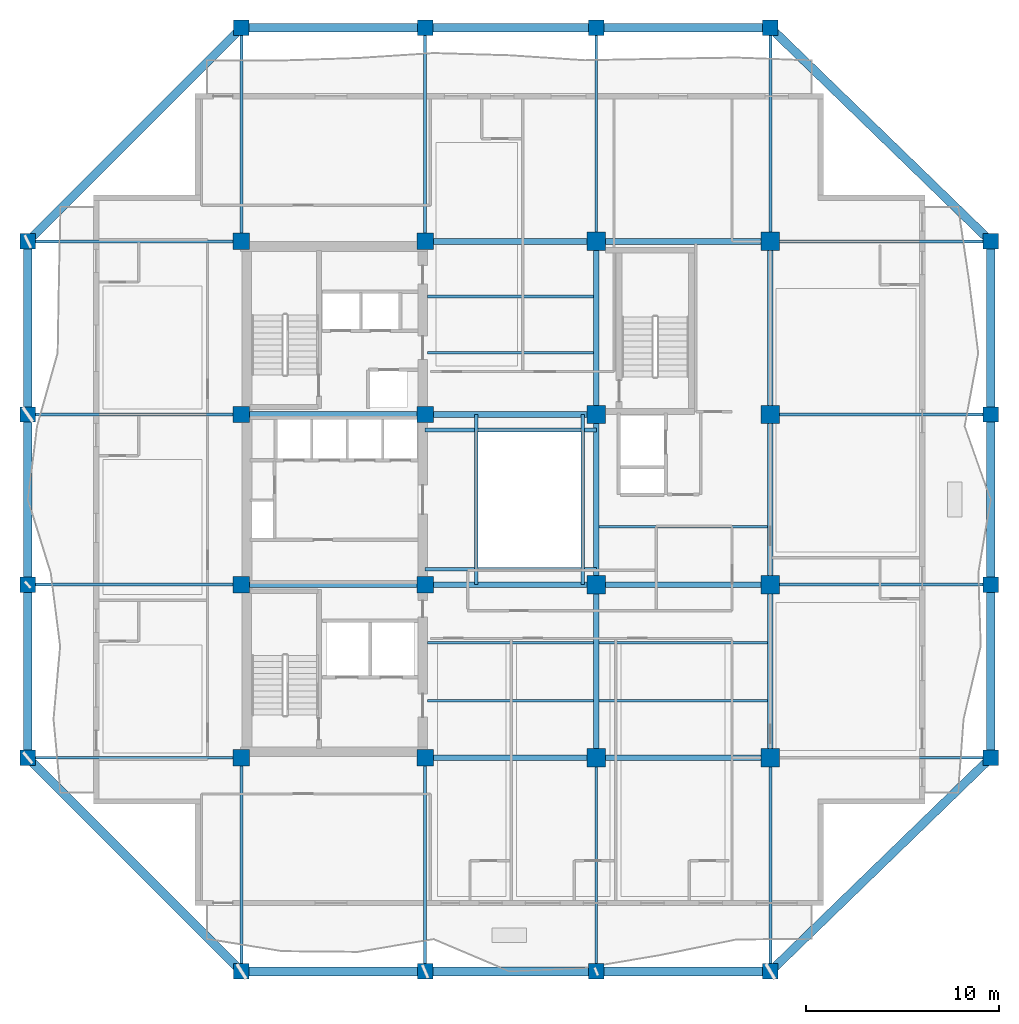
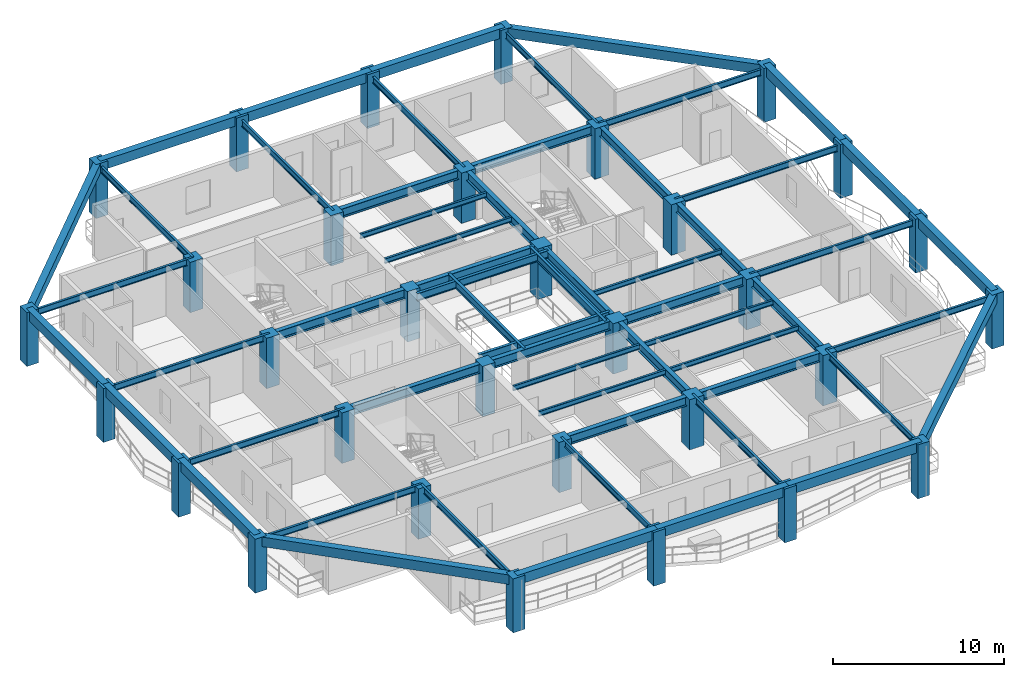
# One storey, part 1 of 12: 58 beams, 32 columns.
"""IFC4 building model written with IfcOpenShell, lengths in metres."""

from ifc_helpers import new_model, si_unit, direction, frame, origin, origin_2d, place, context, subcontext, project, spatial, rectangle, i_section, extrude, material, material_profile, profile_set, type_object, element, save


model = new_model("IFC4")

# Units and contexts
model_context = context("Model", 3, precision=1e-05, world=origin(), true_north=direction((0.0, 1.0)))
body_context = subcontext(model_context, "Body", "Model", "MODEL_VIEW")
ifc_project = project(units=[si_unit("LENGTHUNIT", "METRE"), si_unit("AREAUNIT", "SQUARE_METRE"), si_unit("VOLUMEUNIT", "CUBIC_METRE"), si_unit("PLANEANGLEUNIT", "RADIAN"), si_unit("MASSUNIT", "GRAM", prefix="KILO")], contexts=[model_context])

# Site, building, storey
site_placement = place(None, origin())
site = spatial("IfcSite", under=ifc_project, at=site_placement, CompositionType="ELEMENT")
building_placement = place(site_placement, origin())
building = spatial("IfcBuilding", under=site, at=building_placement, Name="Kundavana Baori Tower", CompositionType="ELEMENT")
storey_placement = place(building_placement, frame((0.0, 0.0, 173.300048828125)))
storey = spatial("IfcBuildingStorey", under=building, at=storey_placement, Name="L42", CompositionType="ELEMENT", Elevation=173.300048828125)

# Columns
ifc_material_1 = material(Name="Concrete C50/60", Category="concrete")
ifc_material_profile_1 = material_profile(ifc_material_1, rectangle(XDim=0.800048828125, YDim=0.800048828125, at=origin_2d()), Name="RC PF 800x800")
ifc_profile_set_1 = profile_set([ifc_material_profile_1], Name="Concrete C50/60")
column_type_1 = type_object("IfcColumnType", Name="COL-PF-800", PredefinedType="COLUMN", material=ifc_profile_set_1)
for number, where, z_axis, x_axis, name in (
    (1, (15.449951171875, 4.199951171875, 0.0), (0.0, 0.0, 1.0), (1.0, 0.0, 0.0), "L42 Stone-Clad Perimeter Frame Column PF-S1"),
    (2, (15.449951171875, 53.0, 0.0), (0.0, 0.0, 1.0), (1.0, 0.0, 0.0), "L42 Stone-Clad Perimeter Frame Column PF-N1"),
    (3, (24.949951171875, 4.199951171875, 0.0), (0.0, 0.0, 1.0), (1.0, 0.0, 0.0), "L42 Stone-Clad Perimeter Frame Column PF-S2"),
    (4, (24.949951171875, 53.0, 0.0), (0.0, 0.0, 1.0), (1.0, 0.0, 0.0), "L42 Stone-Clad Perimeter Frame Column PF-N2"),
    (5, (33.800048828125, 4.199951171875, 0.0), (0.0, 0.0, 1.0), (1.0, 0.0, 0.0), "L42 Stone-Clad Perimeter Frame Column PF-S3"),
    (6, (33.800048828125, 53.0, 0.0), (0.0, 0.0, 1.0), (1.0, 0.0, 0.0), "L42 Stone-Clad Perimeter Frame Column PF-N3"),
    (7, (42.800048828125, 4.199951171875, 0.0), (0.0, 0.0, 1.0), (1.0, 0.0, 0.0), "L42 Stone-Clad Perimeter Frame Column PF-S4"),
    (8, (42.800048828125, 53.0, 0.0), (0.0, 0.0, 1.0), (1.0, 0.0, 0.0), "L42 Stone-Clad Perimeter Frame Column PF-N4"),
    (9, (4.39990234375, 15.25, 0.0), (0.0, 0.0, 1.0), (1.0, 0.0, 0.0), "L42 Stone-Clad Perimeter Frame Column PF-W1"),
    (10, (54.199951171875, 15.25, 0.0), (0.0, 0.0, 1.0), (1.0, 0.0, 0.0), "L42 Stone-Clad Perimeter Frame Column PF-E1"),
    (11, (4.39990234375, 24.199951171875, 0.0), (0.0, 0.0, 1.0), (1.0, 0.0, 0.0), "L42 Stone-Clad Perimeter Frame Column PF-W2"),
    (12, (54.199951171875, 24.199951171875, 0.0), (0.0, 0.0, 1.0), (1.0, 0.0, 0.0), "L42 Stone-Clad Perimeter Frame Column PF-E2"),
    (13, (4.39990234375, 33.0, 0.0), (0.0, 0.0, 1.0), (1.0, 0.0, 0.0), "L42 Stone-Clad Perimeter Frame Column PF-W3"),
    (14, (54.199951171875, 33.0, 0.0), (0.0, 0.0, 1.0), (1.0, 0.0, 0.0), "L42 Stone-Clad Perimeter Frame Column PF-E3"),
    (15, (4.39990234375, 41.949951171875, 0.0), (0.0, 0.0, 1.0), (1.0, 0.0, 0.0), "L42 Stone-Clad Perimeter Frame Column PF-W4"),
    (16, (54.199951171875, 41.949951171875, 0.0), (0.0, 0.0, 1.0), (1.0, 0.0, 0.0), "L42 Stone-Clad Perimeter Frame Column PF-E4"),
):
    element("IfcColumn", number, at=place(storey_placement, frame(where, z_axis=z_axis, x_axis=x_axis)), inside=storey, type_object=column_type_1, Name=name, PredefinedType="COLUMN", context=body_context, shape_type="SweptSolid", body=[
        extrude(rectangle(XDim=0.800048828125, YDim=0.800048828125, at=origin_2d()), origin(), (0.0, 0.0, 1.0), 3.849853515625),
    ])
ifc_material_2 = material(Name="Concrete C50/60", Category="concrete")
ifc_material_profile_2 = material_profile(ifc_material_2, rectangle(XDim=0.85009765625, YDim=0.85009765625, at=origin_2d()), Name="RC 850x850")
ifc_profile_set_2 = profile_set([ifc_material_profile_2], Name="Concrete C50/60")
column_type_2 = type_object("IfcColumnType", Name="COL-RC-850", PredefinedType="COLUMN", material=ifc_profile_set_2)
for number, where, z_axis, x_axis, name in (
    (17, (15.449951171875, 15.25, 0.0), (0.0, 0.0, 1.0), (1.0, 0.0, 0.0), "L42 Interior Column IC-3C"),
    (18, (15.449951171875, 24.199951171875, 0.0), (0.0, 0.0, 1.0), (1.0, 0.0, 0.0), "L42 Interior Column IC-3D"),
    (19, (15.449951171875, 33.0, 0.0), (0.0, 0.0, 1.0), (1.0, 0.0, 0.0), "L42 Interior Column IC-3E"),
    (20, (15.449951171875, 41.949951171875, 0.0), (0.0, 0.0, 1.0), (1.0, 0.0, 0.0), "L42 Interior Column IC-3F"),
    (21, (24.949951171875, 15.25, 0.0), (0.0, 0.0, 1.0), (1.0, 0.0, 0.0), "L42 Interior Column IC-4C"),
    (22, (24.949951171875, 24.199951171875, 0.0), (0.0, 0.0, 1.0), (1.0, 0.0, 0.0), "L42 Interior Column IC-4D"),
    (23, (24.949951171875, 33.0, 0.0), (0.0, 0.0, 1.0), (1.0, 0.0, 0.0), "L42 Interior Column IC-4E"),
    (24, (24.949951171875, 41.949951171875, 0.0), (0.0, 0.0, 1.0), (1.0, 0.0, 0.0), "L42 Interior Column IC-4F"),
):
    element("IfcColumn", number, at=place(storey_placement, frame(where, z_axis=z_axis, x_axis=x_axis)), inside=storey, type_object=column_type_2, Name=name, PredefinedType="COLUMN", context=body_context, shape_type="SweptSolid", body=[
        extrude(rectangle(XDim=0.85009765625, YDim=0.85009765625, at=origin_2d()), origin(), (0.0, 0.0, 1.0), 3.599853515625),
    ])
ifc_material_3 = material(Name="Concrete C50/60", Category="concrete")
ifc_material_profile_3 = material_profile(ifc_material_3, rectangle(XDim=0.949951171875, YDim=0.949951171875, at=origin_2d()), Name="RC 950x950")
ifc_profile_set_3 = profile_set([ifc_material_profile_3], Name="Concrete C50/60")
column_type_3 = type_object("IfcColumnType", Name="COL-RC-950", PredefinedType="COLUMN", material=ifc_profile_set_3)
for number, where, z_axis, x_axis, name in (
    (25, (33.800048828125, 15.25, 0.0), (0.0, 0.0, 1.0), (1.0, 0.0, 0.0), "L42 Interior Column IC-5C"),
    (26, (33.800048828125, 24.199951171875, 0.0), (0.0, 0.0, 1.0), (1.0, 0.0, 0.0), "L42 Interior Column IC-5D"),
    (27, (33.800048828125, 33.0, 0.0), (0.0, 0.0, 1.0), (1.0, 0.0, 0.0), "L42 Interior Column IC-5E"),
    (28, (33.800048828125, 41.949951171875, 0.0), (0.0, 0.0, 1.0), (1.0, 0.0, 0.0), "L42 Interior Column IC-5F"),
    (29, (42.800048828125, 15.25, 0.0), (0.0, 0.0, 1.0), (1.0, 0.0, 0.0), "L42 Interior Column IC-6C"),
    (30, (42.800048828125, 24.199951171875, 0.0), (0.0, 0.0, 1.0), (1.0, 0.0, 0.0), "L42 Interior Column IC-6D"),
    (31, (42.800048828125, 33.0, 0.0), (0.0, 0.0, 1.0), (1.0, 0.0, 0.0), "L42 Interior Column IC-6E"),
    (32, (42.800048828125, 41.949951171875, 0.0), (0.0, 0.0, 1.0), (1.0, 0.0, 0.0), "L42 Interior Column IC-6F"),
):
    element("IfcColumn", number, at=place(storey_placement, frame(where, z_axis=z_axis, x_axis=x_axis)), inside=storey, type_object=column_type_3, Name=name, PredefinedType="COLUMN", context=body_context, shape_type="SweptSolid", body=[
        extrude(rectangle(XDim=0.949951171875, YDim=0.949951171875, at=origin_2d()), origin(), (0.0, 0.0, 1.0), 3.599853515625),
    ])

# Beams
ifc_material_4 = material(Name="Structural Steel S355JR", Category="steel")
ifc_material_profile_4 = material_profile(ifc_material_4, i_section(OverallWidth=0.139892578125, OverallDepth=0.35009765625, WebThickness=0.008056640625, FlangeThickness=0.01416015625, FilletRadius=0.013916015625, at=origin_2d()), Name="ISMB 350")
ifc_profile_set_4 = profile_set([ifc_material_profile_4], Name="Structural Steel S355JR")
beam_type_1 = type_object("IfcBeamType", Name="BM-JST-350", PredefinedType="JOIST", material=ifc_profile_set_4)
for number, where, z_axis, x_axis, name in (
    (33, (25.080078125, 18.199951171875, 3.425048828125), (1.0, 0.0, 0.0), (0.0, 1.0, 0.0), "L42 Central Bay Composite Floor Joist C1"),
    (34, (25.080078125, 21.199951171875, 3.425048828125), (1.0, 0.0, 0.0), (0.0, 1.0, 0.0), "L42 Central Bay Composite Floor Joist C2"),
    (35, (25.080078125, 36.199951171875, 3.425048828125), (1.0, 0.0, 0.0), (0.0, 1.0, 0.0), "L42 Central Bay Composite Floor Joist C3"),
    (36, (25.080078125, 39.10009765625, 3.425048828125), (1.0, 0.0, 0.0), (0.0, 1.0, 0.0), "L42 Central Bay Composite Floor Joist C4"),
):
    element("IfcBeam", number, at=place(storey_placement, frame(where, z_axis=z_axis, x_axis=x_axis)), inside=storey, type_object=beam_type_1, Name=name, PredefinedType="JOIST", context=body_context, shape_type="SweptSolid", body=[
        extrude(i_section(OverallWidth=0.139892578125, OverallDepth=0.35009765625, WebThickness=0.008056640625, FlangeThickness=0.01416015625, FilletRadius=0.013916015625, at=origin_2d()), origin(), (0.0, 0.0, 1.0), 8.56982421875),
    ])
for number, where, z_axis, x_axis, name in (
    (37, (33.949951171875, 18.199951171875, 3.425048828125), (1.0, 0.0, 0.0), (0.0, 1.0, 0.0), "L42 East Bay Composite Floor Joist E1"),
    (38, (33.949951171875, 21.199951171875, 3.425048828125), (1.0, 0.0, 0.0), (0.0, 1.0, 0.0), "L42 East Bay Composite Floor Joist E2"),
    (39, (33.949951171875, 27.199951171875, 3.425048828125), (1.0, 0.0, 0.0), (0.0, 1.0, 0.0), "L42 East Bay Composite Floor Joist E3"),
):
    element("IfcBeam", number, at=place(storey_placement, frame(where, z_axis=z_axis, x_axis=x_axis)), inside=storey, type_object=beam_type_1, Name=name, PredefinedType="JOIST", context=body_context, shape_type="SweptSolid", body=[
        extrude(i_section(OverallWidth=0.139892578125, OverallDepth=0.35009765625, WebThickness=0.008056640625, FlangeThickness=0.01416015625, FilletRadius=0.013916015625, at=origin_2d()), origin(), (0.0, 0.0, 1.0), 8.699951171875),
    ])
ifc_material_5 = material(Name="Concrete C50/60", Category="concrete")
ifc_material_profile_5 = material_profile(ifc_material_5, rectangle(XDim=0.449951171875, YDim=0.679931640625, at=origin_2d()), Name="RC BM 450x680")
ifc_profile_set_5 = profile_set([ifc_material_profile_5], Name="Concrete C50/60")
beam_type_2 = type_object("IfcBeamType", Name="BM-PF-680", PredefinedType="SPANDREL", material=ifc_profile_set_5)
beam_1_placement = place(storey_placement, frame((15.449951171875, 4.199951171875, 3.510009765625), z_axis=(1.0, 0.0, 0.0), x_axis=(0.0, 1.0, 0.0)))
element("IfcBeam", 40, at=beam_1_placement, inside=storey, type_object=beam_type_2, Name="L42 Perimeter Frame Ring Beam S1", PredefinedType="SPANDREL", context=body_context, shape_type="SweptSolid", body=[
    extrude(rectangle(XDim=0.449951171875, YDim=0.679931640625, at=origin_2d()), origin(), (0.0, 0.0, 1.0), 9.5),
])
beam_2_placement = place(storey_placement, frame((24.949951171875, 4.199951171875, 3.510009765625), z_axis=(1.0, 0.0, 0.0), x_axis=(0.0, 1.0, 0.0)))
element("IfcBeam", 41, at=beam_2_placement, inside=storey, type_object=beam_type_2, Name="L42 Perimeter Frame Ring Beam S2", PredefinedType="SPANDREL", context=body_context, shape_type="SweptSolid", body=[
    extrude(rectangle(XDim=0.449951171875, YDim=0.679931640625, at=origin_2d()), origin(), (0.0, 0.0, 1.0), 8.85009765625),
])
beam_3_placement = place(storey_placement, frame((33.800048828125, 4.199951171875, 3.510009765625), z_axis=(1.0, 0.0, 0.0), x_axis=(0.0, 1.0, 0.0)))
element("IfcBeam", 42, at=beam_3_placement, inside=storey, type_object=beam_type_2, Name="L42 Perimeter Frame Ring Beam S3", PredefinedType="SPANDREL", context=body_context, shape_type="SweptSolid", body=[
    extrude(rectangle(XDim=0.449951171875, YDim=0.679931640625, at=origin_2d()), origin(), (0.0, 0.0, 1.0), 9.0),
])
beam_4_placement = place(storey_placement, frame((15.449951171875, 53.0, 3.510009765625), z_axis=(1.0, 0.0, 0.0), x_axis=(0.0, 1.0, 0.0)))
element("IfcBeam", 43, at=beam_4_placement, inside=storey, type_object=beam_type_2, Name="L42 Perimeter Frame Ring Beam N1", PredefinedType="SPANDREL", context=body_context, shape_type="SweptSolid", body=[
    extrude(rectangle(XDim=0.449951171875, YDim=0.679931640625, at=origin_2d()), origin(), (0.0, 0.0, 1.0), 9.5),
])
beam_5_placement = place(storey_placement, frame((24.949951171875, 53.0, 3.510009765625), z_axis=(1.0, 0.0, 0.0), x_axis=(0.0, 1.0, 0.0)))
element("IfcBeam", 44, at=beam_5_placement, inside=storey, type_object=beam_type_2, Name="L42 Perimeter Frame Ring Beam N2", PredefinedType="SPANDREL", context=body_context, shape_type="SweptSolid", body=[
    extrude(rectangle(XDim=0.449951171875, YDim=0.679931640625, at=origin_2d()), origin(), (0.0, 0.0, 1.0), 8.85009765625),
])
beam_6_placement = place(storey_placement, frame((33.800048828125, 53.0, 3.510009765625), z_axis=(1.0, 0.0, 0.0), x_axis=(0.0, 1.0, 0.0)))
element("IfcBeam", 45, at=beam_6_placement, inside=storey, type_object=beam_type_2, Name="L42 Perimeter Frame Ring Beam N3", PredefinedType="SPANDREL", context=body_context, shape_type="SweptSolid", body=[
    extrude(rectangle(XDim=0.449951171875, YDim=0.679931640625, at=origin_2d()), origin(), (0.0, 0.0, 1.0), 9.0),
])
beam_7_placement = place(storey_placement, frame((4.39990234375, 15.25, 3.510009765625), z_axis=(0.0, 1.0, 0.0), x_axis=(-1.0, 0.0, 0.0)))
element("IfcBeam", 46, at=beam_7_placement, inside=storey, type_object=beam_type_2, Name="L42 Perimeter Frame Ring Beam W1", PredefinedType="SPANDREL", context=body_context, shape_type="SweptSolid", body=[
    extrude(rectangle(XDim=0.449951171875, YDim=0.679931640625, at=origin_2d()), origin(), (0.0, 0.0, 1.0), 8.949951171875),
])
beam_8_placement = place(storey_placement, frame((4.39990234375, 24.199951171875, 3.510009765625), z_axis=(0.0, 1.0, 0.0), x_axis=(-1.0, 0.0, 0.0)))
element("IfcBeam", 47, at=beam_8_placement, inside=storey, type_object=beam_type_2, Name="L42 Perimeter Frame Ring Beam W2", PredefinedType="SPANDREL", context=body_context, shape_type="SweptSolid", body=[
    extrude(rectangle(XDim=0.449951171875, YDim=0.679931640625, at=origin_2d()), origin(), (0.0, 0.0, 1.0), 8.800048828125),
])
for number, where, z_axis, x_axis, name in (
    (48, (4.39990234375, 33.0, 3.510009765625), (0.0, 1.0, 0.0), (-1.0, 0.0, 0.0), "L42 Perimeter Frame Ring Beam W3"),
    (49, (54.199951171875, 15.25, 3.510009765625), (0.0, 1.0, 0.0), (-1.0, 0.0, 0.0), "L42 Perimeter Frame Ring Beam E1"),
):
    element("IfcBeam", number, at=place(storey_placement, frame(where, z_axis=z_axis, x_axis=x_axis)), inside=storey, type_object=beam_type_2, Name=name, PredefinedType="SPANDREL", context=body_context, shape_type="SweptSolid", body=[
        extrude(rectangle(XDim=0.449951171875, YDim=0.679931640625, at=origin_2d()), origin(), (0.0, 0.0, 1.0), 8.949951171875),
    ])
beam_9_placement = place(storey_placement, frame((54.199951171875, 24.199951171875, 3.510009765625), z_axis=(0.0, 1.0, 0.0), x_axis=(-1.0, 0.0, 0.0)))
element("IfcBeam", 50, at=beam_9_placement, inside=storey, type_object=beam_type_2, Name="L42 Perimeter Frame Ring Beam E2", PredefinedType="SPANDREL", context=body_context, shape_type="SweptSolid", body=[
    extrude(rectangle(XDim=0.449951171875, YDim=0.679931640625, at=origin_2d()), origin(), (0.0, 0.0, 1.0), 8.800048828125),
])
beam_10_placement = place(storey_placement, frame((54.199951171875, 33.0, 3.510009765625), z_axis=(0.0, 1.0, 0.0), x_axis=(-1.0, 0.0, 0.0)))
element("IfcBeam", 51, at=beam_10_placement, inside=storey, type_object=beam_type_2, Name="L42 Perimeter Frame Ring Beam E3", PredefinedType="SPANDREL", context=body_context, shape_type="SweptSolid", body=[
    extrude(rectangle(XDim=0.449951171875, YDim=0.679931640625, at=origin_2d()), origin(), (0.0, 0.0, 1.0), 8.949951171875),
])
beam_11_placement = place(storey_placement, frame((15.449951171875, 4.199951171875, 3.510009765625), z_axis=(-0.707106781187, 0.707106781187, 0.0), x_axis=(-0.707106781187, -0.707106781187, 0.0)))
element("IfcBeam", 52, at=beam_11_placement, inside=storey, type_object=beam_type_2, Name="L42 Notched Corner Perimeter Beam SW", PredefinedType="SPANDREL", context=body_context, shape_type="SweptSolid", body=[
    extrude(rectangle(XDim=0.449951171875, YDim=0.679931640625, at=origin_2d()), origin(), (0.0, 0.0, 1.0), 15.627197265625),
])
beam_12_placement = place(storey_placement, frame((42.800048828125, 4.199951171875, 3.510009765625), z_axis=(0.718038944492, 0.696002926857, 0.0), x_axis=(-0.696002926857, 0.718038944492, 0.0)))
element("IfcBeam", 53, at=beam_12_placement, inside=storey, type_object=beam_type_2, Name="L42 Notched Corner Perimeter Beam SE", PredefinedType="SPANDREL", context=body_context, shape_type="SweptSolid", body=[
    extrude(rectangle(XDim=0.449951171875, YDim=0.679931640625, at=origin_2d()), origin(), (0.0, 0.0, 1.0), 15.87646484375),
])
beam_13_placement = place(storey_placement, frame((15.449951171875, 53.0, 3.510009765625), z_axis=(-0.707106781187, -0.707106781187, 0.0), x_axis=(0.707106781187, -0.707106781187, 0.0)))
element("IfcBeam", 54, at=beam_13_placement, inside=storey, type_object=beam_type_2, Name="L42 Notched Corner Perimeter Beam NW", PredefinedType="SPANDREL", context=body_context, shape_type="SweptSolid", body=[
    extrude(rectangle(XDim=0.449951171875, YDim=0.679931640625, at=origin_2d()), origin(), (0.0, 0.0, 1.0), 15.627197265625),
])
beam_14_placement = place(storey_placement, frame((42.800048828125, 53.0, 3.510009765625), z_axis=(0.718038944492, -0.696002926857, 0.0), x_axis=(0.696002926857, 0.718038944492, 0.0)))
element("IfcBeam", 55, at=beam_14_placement, inside=storey, type_object=beam_type_2, Name="L42 Notched Corner Perimeter Beam NE", PredefinedType="SPANDREL", context=body_context, shape_type="SweptSolid", body=[
    extrude(rectangle(XDim=0.449951171875, YDim=0.679931640625, at=origin_2d()), origin(), (0.0, 0.0, 1.0), 15.87646484375),
])
ifc_material_6 = material(Name="Structural Steel S355JR", Category="steel")
ifc_material_profile_6 = material_profile(ifc_material_6, i_section(OverallWidth=0.18994140625, OverallDepth=0.550048828125, WebThickness=0.01123046875, FlangeThickness=0.019287109375, FilletRadius=0.01806640625, at=origin_2d()), Name="ISMB 550")
ifc_profile_set_6 = profile_set([ifc_material_profile_6], Name="Structural Steel S355JR")
beam_type_3 = type_object("IfcBeamType", Name="BM-ST-550", PredefinedType="BEAM", material=ifc_profile_set_6)
for number, where, z_axis, x_axis, name in (
    (56, (27.60009765625, 24.199951171875, 3.324951171875), (0.0, 1.0, 0.0), (-1.0, 0.0, 0.0), "L42 Atrium West Edge Beam"),
    (57, (33.10009765625, 24.199951171875, 3.324951171875), (0.0, 1.0, 0.0), (-1.0, 0.0, 0.0), "L42 Atrium East Edge Beam"),
):
    element("IfcBeam", number, at=place(storey_placement, frame(where, z_axis=z_axis, x_axis=x_axis)), inside=storey, type_object=beam_type_3, Name=name, PredefinedType="BEAM", context=body_context, shape_type="SweptSolid", body=[
        extrude(i_section(OverallWidth=0.18994140625, OverallDepth=0.550048828125, WebThickness=0.01123046875, FlangeThickness=0.019287109375, FilletRadius=0.01806640625, at=origin_2d()), origin(), (0.0, 0.0, 1.0), 8.800048828125),
    ])
for number, where, z_axis, x_axis, name in (
    (58, (24.949951171875, 25.0, 3.324951171875), (1.0, 0.0, 0.0), (0.0, 1.0, 0.0), "L42 Atrium South Edge Beam"),
    (59, (24.949951171875, 32.199951171875, 3.324951171875), (1.0, 0.0, 0.0), (0.0, 1.0, 0.0), "L42 Atrium North Edge Beam"),
):
    element("IfcBeam", number, at=place(storey_placement, frame(where, z_axis=z_axis, x_axis=x_axis)), inside=storey, type_object=beam_type_3, Name=name, PredefinedType="BEAM", context=body_context, shape_type="SweptSolid", body=[
        extrude(i_section(OverallWidth=0.18994140625, OverallDepth=0.550048828125, WebThickness=0.01123046875, FlangeThickness=0.019287109375, FilletRadius=0.01806640625, at=origin_2d()), origin(), (0.0, 0.0, 1.0), 8.85009765625),
    ])
ifc_material_7 = material(Name="Structural Steel S355JR", Category="steel")
ifc_material_profile_7 = material_profile(ifc_material_7, i_section(OverallWidth=0.300048828125, OverallDepth=0.64990234375, WebThickness=0.013427734375, FlangeThickness=0.02197265625, FilletRadius=0.02392578125, at=origin_2d()), Name="NPB 650x300x155")
ifc_profile_set_7 = profile_set([ifc_material_profile_7], Name="Structural Steel S355JR")
beam_type_4 = type_object("IfcBeamType", Name="BM-ST-650", PredefinedType="BEAM", material=ifc_profile_set_7)
beam_15_placement = place(storey_placement, frame((24.949951171875, 15.25, 3.27490234375), z_axis=(1.0, 0.0, 0.0), x_axis=(0.0, 1.0, 0.0)))
element("IfcBeam", 60, at=beam_15_placement, inside=storey, type_object=beam_type_4, Name="L42 Primary Grid Girder GX-1-2", PredefinedType="BEAM", context=body_context, shape_type="SweptSolid", body=[
    extrude(i_section(OverallWidth=0.300048828125, OverallDepth=0.64990234375, WebThickness=0.013427734375, FlangeThickness=0.02197265625, FilletRadius=0.02392578125, at=origin_2d()), origin(), (0.0, 0.0, 1.0), 8.85009765625),
])
beam_16_placement = place(storey_placement, frame((33.800048828125, 15.25, 3.27490234375), z_axis=(1.0, 0.0, 0.0), x_axis=(0.0, 1.0, 0.0)))
element("IfcBeam", 61, at=beam_16_placement, inside=storey, type_object=beam_type_4, Name="L42 Primary Grid Girder GX-1-3", PredefinedType="BEAM", context=body_context, shape_type="SweptSolid", body=[
    extrude(i_section(OverallWidth=0.300048828125, OverallDepth=0.64990234375, WebThickness=0.013427734375, FlangeThickness=0.02197265625, FilletRadius=0.02392578125, at=origin_2d()), origin(), (0.0, 0.0, 1.0), 9.0),
])
beam_17_placement = place(storey_placement, frame((15.449951171875, 24.199951171875, 3.27490234375), z_axis=(1.0, 0.0, 0.0), x_axis=(0.0, 1.0, 0.0)))
element("IfcBeam", 62, at=beam_17_placement, inside=storey, type_object=beam_type_4, Name="L42 Primary Grid Girder GX-2-1", PredefinedType="BEAM", context=body_context, shape_type="SweptSolid", body=[
    extrude(i_section(OverallWidth=0.300048828125, OverallDepth=0.64990234375, WebThickness=0.013427734375, FlangeThickness=0.02197265625, FilletRadius=0.02392578125, at=origin_2d()), origin(), (0.0, 0.0, 1.0), 9.5),
])
beam_18_placement = place(storey_placement, frame((24.949951171875, 24.199951171875, 3.27490234375), z_axis=(1.0, 0.0, 0.0), x_axis=(0.0, 1.0, 0.0)))
element("IfcBeam", 63, at=beam_18_placement, inside=storey, type_object=beam_type_4, Name="L42 Primary Grid Girder GX-2-2", PredefinedType="BEAM", context=body_context, shape_type="SweptSolid", body=[
    extrude(i_section(OverallWidth=0.300048828125, OverallDepth=0.64990234375, WebThickness=0.013427734375, FlangeThickness=0.02197265625, FilletRadius=0.02392578125, at=origin_2d()), origin(), (0.0, 0.0, 1.0), 8.85009765625),
])
beam_19_placement = place(storey_placement, frame((33.800048828125, 24.199951171875, 3.27490234375), z_axis=(1.0, 0.0, 0.0), x_axis=(0.0, 1.0, 0.0)))
element("IfcBeam", 64, at=beam_19_placement, inside=storey, type_object=beam_type_4, Name="L42 Primary Grid Girder GX-2-3", PredefinedType="BEAM", context=body_context, shape_type="SweptSolid", body=[
    extrude(i_section(OverallWidth=0.300048828125, OverallDepth=0.64990234375, WebThickness=0.013427734375, FlangeThickness=0.02197265625, FilletRadius=0.02392578125, at=origin_2d()), origin(), (0.0, 0.0, 1.0), 9.0),
])
beam_20_placement = place(storey_placement, frame((15.449951171875, 33.0, 3.27490234375), z_axis=(1.0, 0.0, 0.0), x_axis=(0.0, 1.0, 0.0)))
element("IfcBeam", 65, at=beam_20_placement, inside=storey, type_object=beam_type_4, Name="L42 Primary Grid Girder GX-3-1", PredefinedType="BEAM", context=body_context, shape_type="SweptSolid", body=[
    extrude(i_section(OverallWidth=0.300048828125, OverallDepth=0.64990234375, WebThickness=0.013427734375, FlangeThickness=0.02197265625, FilletRadius=0.02392578125, at=origin_2d()), origin(), (0.0, 0.0, 1.0), 9.5),
])
for number, where, z_axis, x_axis, name in (
    (66, (24.949951171875, 33.0, 3.27490234375), (1.0, 0.0, 0.0), (0.0, 1.0, 0.0), "L42 Primary Grid Girder GX-3-2"),
    (67, (24.949951171875, 41.949951171875, 3.27490234375), (1.0, 0.0, 0.0), (0.0, 1.0, 0.0), "L42 Primary Grid Girder GX-4-2"),
):
    element("IfcBeam", number, at=place(storey_placement, frame(where, z_axis=z_axis, x_axis=x_axis)), inside=storey, type_object=beam_type_4, Name=name, PredefinedType="BEAM", context=body_context, shape_type="SweptSolid", body=[
        extrude(i_section(OverallWidth=0.300048828125, OverallDepth=0.64990234375, WebThickness=0.013427734375, FlangeThickness=0.02197265625, FilletRadius=0.02392578125, at=origin_2d()), origin(), (0.0, 0.0, 1.0), 8.85009765625),
    ])
beam_21_placement = place(storey_placement, frame((33.800048828125, 41.949951171875, 3.27490234375), z_axis=(1.0, 0.0, 0.0), x_axis=(0.0, 1.0, 0.0)))
element("IfcBeam", 68, at=beam_21_placement, inside=storey, type_object=beam_type_4, Name="L42 Primary Grid Girder GX-4-3", PredefinedType="BEAM", context=body_context, shape_type="SweptSolid", body=[
    extrude(i_section(OverallWidth=0.300048828125, OverallDepth=0.64990234375, WebThickness=0.013427734375, FlangeThickness=0.02197265625, FilletRadius=0.02392578125, at=origin_2d()), origin(), (0.0, 0.0, 1.0), 9.0),
])
beam_22_placement = place(storey_placement, frame((33.800048828125, 15.25, 3.27490234375), z_axis=(0.0, 1.0, 0.0), x_axis=(-1.0, 0.0, 0.0)))
element("IfcBeam", 69, at=beam_22_placement, inside=storey, type_object=beam_type_4, Name="L42 Primary Grid Girder GY-3-1", PredefinedType="BEAM", context=body_context, shape_type="SweptSolid", body=[
    extrude(i_section(OverallWidth=0.300048828125, OverallDepth=0.64990234375, WebThickness=0.013427734375, FlangeThickness=0.02197265625, FilletRadius=0.02392578125, at=origin_2d()), origin(), (0.0, 0.0, 1.0), 8.949951171875),
])
beam_23_placement = place(storey_placement, frame((33.800048828125, 24.199951171875, 3.27490234375), z_axis=(0.0, 1.0, 0.0), x_axis=(-1.0, 0.0, 0.0)))
element("IfcBeam", 70, at=beam_23_placement, inside=storey, type_object=beam_type_4, Name="L42 Primary Grid Girder GY-3-2", PredefinedType="BEAM", context=body_context, shape_type="SweptSolid", body=[
    extrude(i_section(OverallWidth=0.300048828125, OverallDepth=0.64990234375, WebThickness=0.013427734375, FlangeThickness=0.02197265625, FilletRadius=0.02392578125, at=origin_2d()), origin(), (0.0, 0.0, 1.0), 8.800048828125),
])
for number, where, z_axis, x_axis, name in (
    (71, (33.800048828125, 33.0, 3.27490234375), (0.0, 1.0, 0.0), (-1.0, 0.0, 0.0), "L42 Primary Grid Girder GY-3-3"),
    (72, (42.800048828125, 15.25, 3.27490234375), (0.0, 1.0, 0.0), (-1.0, 0.0, 0.0), "L42 Primary Grid Girder GY-4-1"),
):
    element("IfcBeam", number, at=place(storey_placement, frame(where, z_axis=z_axis, x_axis=x_axis)), inside=storey, type_object=beam_type_4, Name=name, PredefinedType="BEAM", context=body_context, shape_type="SweptSolid", body=[
        extrude(i_section(OverallWidth=0.300048828125, OverallDepth=0.64990234375, WebThickness=0.013427734375, FlangeThickness=0.02197265625, FilletRadius=0.02392578125, at=origin_2d()), origin(), (0.0, 0.0, 1.0), 8.949951171875),
    ])
beam_24_placement = place(storey_placement, frame((42.800048828125, 24.199951171875, 3.27490234375), z_axis=(0.0, 1.0, 0.0), x_axis=(-1.0, 0.0, 0.0)))
element("IfcBeam", 73, at=beam_24_placement, inside=storey, type_object=beam_type_4, Name="L42 Primary Grid Girder GY-4-2", PredefinedType="BEAM", context=body_context, shape_type="SweptSolid", body=[
    extrude(i_section(OverallWidth=0.300048828125, OverallDepth=0.64990234375, WebThickness=0.013427734375, FlangeThickness=0.02197265625, FilletRadius=0.02392578125, at=origin_2d()), origin(), (0.0, 0.0, 1.0), 8.800048828125),
])
beam_25_placement = place(storey_placement, frame((42.800048828125, 33.0, 3.27490234375), z_axis=(0.0, 1.0, 0.0), x_axis=(-1.0, 0.0, 0.0)))
element("IfcBeam", 74, at=beam_25_placement, inside=storey, type_object=beam_type_4, Name="L42 Primary Grid Girder GY-4-3", PredefinedType="BEAM", context=body_context, shape_type="SweptSolid", body=[
    extrude(i_section(OverallWidth=0.300048828125, OverallDepth=0.64990234375, WebThickness=0.013427734375, FlangeThickness=0.02197265625, FilletRadius=0.02392578125, at=origin_2d()), origin(), (0.0, 0.0, 1.0), 8.949951171875),
])
ifc_material_8 = material(Name="Structural Steel S355JR", Category="steel")
ifc_material_profile_8 = material_profile(ifc_material_8, i_section(OverallWidth=0.14990234375, OverallDepth=0.449951171875, WebThickness=0.009521484375, FlangeThickness=0.017333984375, FilletRadius=0.014892578125, at=origin_2d()), Name="ISMB 450")
ifc_profile_set_8 = profile_set([ifc_material_profile_8], Name="Structural Steel S355JR")
beam_type_5 = type_object("IfcBeamType", Name="BM-TIE-450", PredefinedType="BEAM", material=ifc_profile_set_8)
for number, where, z_axis, x_axis, name in (
    (75, (15.449951171875, 15.25, 3.375), (0.0, -1.0, 0.0), (1.0, 0.0, 0.0), "L42 South Radial Loggia Tie Beam S1"),
    (76, (15.449951171875, 41.949951171875, 3.375), (0.0, 1.0, 0.0), (-1.0, 0.0, 0.0), "L42 North Radial Loggia Tie Beam N1"),
    (77, (24.949951171875, 15.25, 3.375), (0.0, -1.0, 0.0), (1.0, 0.0, 0.0), "L42 South Radial Loggia Tie Beam S2"),
    (78, (24.949951171875, 41.949951171875, 3.375), (0.0, 1.0, 0.0), (-1.0, 0.0, 0.0), "L42 North Radial Loggia Tie Beam N2"),
    (79, (33.800048828125, 15.25, 3.375), (0.0, -1.0, 0.0), (1.0, 0.0, 0.0), "L42 South Radial Loggia Tie Beam S3"),
    (80, (33.800048828125, 41.949951171875, 3.375), (0.0, 1.0, 0.0), (-1.0, 0.0, 0.0), "L42 North Radial Loggia Tie Beam N3"),
    (81, (42.800048828125, 15.25, 3.375), (0.0, -1.0, 0.0), (1.0, 0.0, 0.0), "L42 South Radial Loggia Tie Beam S4"),
    (82, (42.800048828125, 41.949951171875, 3.375), (0.0, 1.0, 0.0), (-1.0, 0.0, 0.0), "L42 North Radial Loggia Tie Beam N4"),
    (83, (15.449951171875, 15.25, 3.375), (-1.0, 0.0, 0.0), (0.0, -1.0, 0.0), "L42 West Radial Loggia Tie Beam W1"),
):
    element("IfcBeam", number, at=place(storey_placement, frame(where, z_axis=z_axis, x_axis=x_axis)), inside=storey, type_object=beam_type_5, Name=name, PredefinedType="BEAM", context=body_context, shape_type="SweptSolid", body=[
        extrude(i_section(OverallWidth=0.14990234375, OverallDepth=0.449951171875, WebThickness=0.009521484375, FlangeThickness=0.017333984375, FilletRadius=0.014892578125, at=origin_2d()), origin(), (0.0, 0.0, 1.0), 11.050048828125),
    ])
beam_26_placement = place(storey_placement, frame((42.800048828125, 15.25, 3.375), z_axis=(1.0, 0.0, 0.0), x_axis=(0.0, 1.0, 0.0)))
element("IfcBeam", 84, at=beam_26_placement, inside=storey, type_object=beam_type_5, Name="L42 East Radial Loggia Tie Beam E1", PredefinedType="BEAM", context=body_context, shape_type="SweptSolid", body=[
    extrude(i_section(OverallWidth=0.14990234375, OverallDepth=0.449951171875, WebThickness=0.009521484375, FlangeThickness=0.017333984375, FilletRadius=0.014892578125, at=origin_2d()), origin(), (0.0, 0.0, 1.0), 11.39990234375),
])
beam_27_placement = place(storey_placement, frame((15.449951171875, 24.199951171875, 3.375), z_axis=(-1.0, 0.0, 0.0), x_axis=(0.0, -1.0, 0.0)))
element("IfcBeam", 85, at=beam_27_placement, inside=storey, type_object=beam_type_5, Name="L42 West Radial Loggia Tie Beam W2", PredefinedType="BEAM", context=body_context, shape_type="SweptSolid", body=[
    extrude(i_section(OverallWidth=0.14990234375, OverallDepth=0.449951171875, WebThickness=0.009521484375, FlangeThickness=0.017333984375, FilletRadius=0.014892578125, at=origin_2d()), origin(), (0.0, 0.0, 1.0), 11.050048828125),
])
beam_28_placement = place(storey_placement, frame((42.800048828125, 24.199951171875, 3.375), z_axis=(1.0, 0.0, 0.0), x_axis=(0.0, 1.0, 0.0)))
element("IfcBeam", 86, at=beam_28_placement, inside=storey, type_object=beam_type_5, Name="L42 East Radial Loggia Tie Beam E2", PredefinedType="BEAM", context=body_context, shape_type="SweptSolid", body=[
    extrude(i_section(OverallWidth=0.14990234375, OverallDepth=0.449951171875, WebThickness=0.009521484375, FlangeThickness=0.017333984375, FilletRadius=0.014892578125, at=origin_2d()), origin(), (0.0, 0.0, 1.0), 11.39990234375),
])
beam_29_placement = place(storey_placement, frame((15.449951171875, 33.0, 3.375), z_axis=(-1.0, 0.0, 0.0), x_axis=(0.0, -1.0, 0.0)))
element("IfcBeam", 87, at=beam_29_placement, inside=storey, type_object=beam_type_5, Name="L42 West Radial Loggia Tie Beam W3", PredefinedType="BEAM", context=body_context, shape_type="SweptSolid", body=[
    extrude(i_section(OverallWidth=0.14990234375, OverallDepth=0.449951171875, WebThickness=0.009521484375, FlangeThickness=0.017333984375, FilletRadius=0.014892578125, at=origin_2d()), origin(), (0.0, 0.0, 1.0), 11.050048828125),
])
beam_30_placement = place(storey_placement, frame((42.800048828125, 33.0, 3.375), z_axis=(1.0, 0.0, 0.0), x_axis=(0.0, 1.0, 0.0)))
element("IfcBeam", 88, at=beam_30_placement, inside=storey, type_object=beam_type_5, Name="L42 East Radial Loggia Tie Beam E3", PredefinedType="BEAM", context=body_context, shape_type="SweptSolid", body=[
    extrude(i_section(OverallWidth=0.14990234375, OverallDepth=0.449951171875, WebThickness=0.009521484375, FlangeThickness=0.017333984375, FilletRadius=0.014892578125, at=origin_2d()), origin(), (0.0, 0.0, 1.0), 11.39990234375),
])
beam_31_placement = place(storey_placement, frame((15.449951171875, 41.949951171875, 3.375), z_axis=(-1.0, 0.0, 0.0), x_axis=(0.0, -1.0, 0.0)))
element("IfcBeam", 89, at=beam_31_placement, inside=storey, type_object=beam_type_5, Name="L42 West Radial Loggia Tie Beam W4", PredefinedType="BEAM", context=body_context, shape_type="SweptSolid", body=[
    extrude(i_section(OverallWidth=0.14990234375, OverallDepth=0.449951171875, WebThickness=0.009521484375, FlangeThickness=0.017333984375, FilletRadius=0.014892578125, at=origin_2d()), origin(), (0.0, 0.0, 1.0), 11.050048828125),
])
beam_32_placement = place(storey_placement, frame((42.800048828125, 41.949951171875, 3.375), z_axis=(1.0, 0.0, 0.0), x_axis=(0.0, 1.0, 0.0)))
element("IfcBeam", 90, at=beam_32_placement, inside=storey, type_object=beam_type_5, Name="L42 East Radial Loggia Tie Beam E4", PredefinedType="BEAM", context=body_context, shape_type="SweptSolid", body=[
    extrude(i_section(OverallWidth=0.14990234375, OverallDepth=0.449951171875, WebThickness=0.009521484375, FlangeThickness=0.017333984375, FilletRadius=0.014892578125, at=origin_2d()), origin(), (0.0, 0.0, 1.0), 11.39990234375),
])

save(model, "model.ifc")
